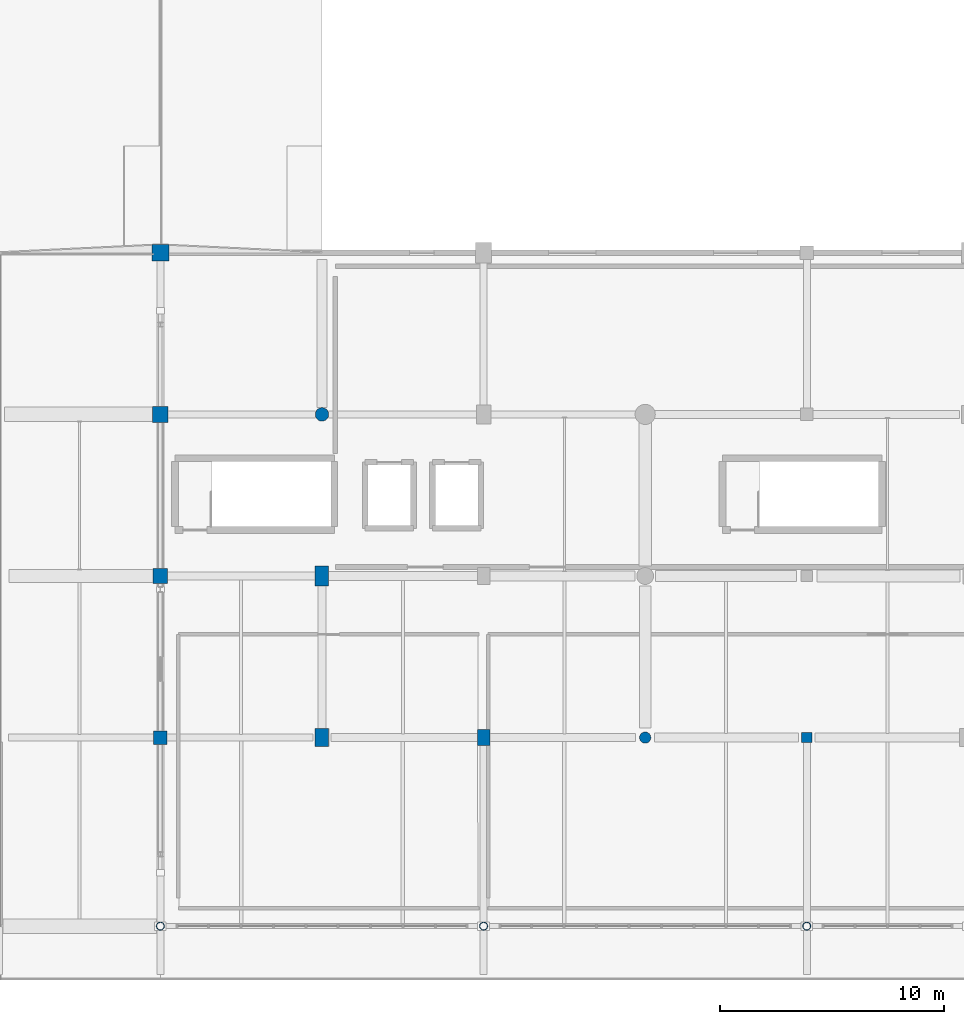
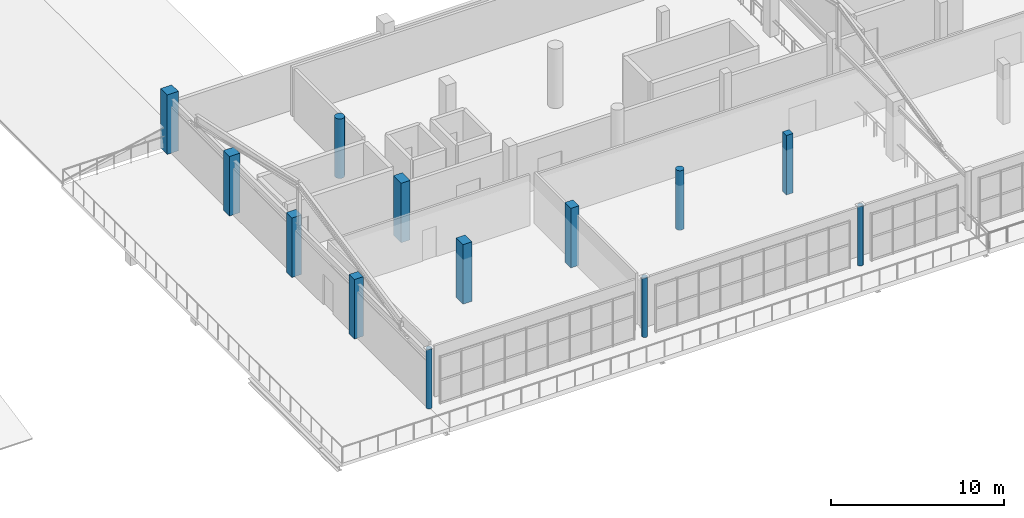
# One storey, part 1 of 41: 13 columns.
"""IFC4 building model written with IfcOpenShell, lengths in metres."""

import ifcopenshell
import ifcopenshell.guid

model = None  # the IFC model being written
_history = None  # IfcOwnerHistory: only IFC2X3 demands one
_inside = {}  # id of a spatial element -> (the spatial element, [elements in it])
_under = {}  # id of a project, library or spatial element -> (it, [spatial elements below it])
_declared = {}  # id of a project -> (the project, [libraries it declares])
_typed = {}  # id of a type object -> (the type object, [elements of that type])
_made_of = {}  # id of a material, layer set ... -> (it, [elements and type objects made of it])


def new_model(schema):
    """Start an empty IFC model of exactly this schema.

    Asked for "IFC4X3", IfcOpenShell would pick the latest addendum, in which some entities
    have other attributes; the version numbers below select the first issue.
    IFC2X3 requires an IfcOwnerHistory on every rooted entity: one is made here for all.
    """
    global model, _history
    if schema == "IFC4X3":
        model = ifcopenshell.file(schema_version=(4, 3, 0, 0))
    else:
        model = ifcopenshell.file(schema=schema)
    _inside.clear()
    _under.clear()
    _declared.clear()
    _typed.clear()
    _made_of.clear()
    _history = None
    if model.schema == "IFC2X3":
        org = make("IfcOrganization", Name="unknown")
        user = make(
            "IfcPersonAndOrganization",
            ThePerson=make("IfcPerson", FamilyName="unknown"),
            TheOrganization=org,
        )
        app = make(
            "IfcApplication",
            ApplicationDeveloper=org,
            Version="unknown",
            ApplicationFullName="unknown",
            ApplicationIdentifier="unknown",
        )
        _history = make(
            "IfcOwnerHistory",
            OwningUser=user,
            OwningApplication=app,
            ChangeAction="ADDED",
            CreationDate=0,
        )
    return model


def make(cls, **values):
    """One entity of the class cls with the attributes given. An attribute that is None is left unset."""
    return model.create_entity(
        cls, **{name: value for name, value in values.items() if value is not None}
    )


def rooted(cls, **values):
    """An entity with a GlobalId (a new one), such as an element, a storey or a relation."""
    return make(cls, GlobalId=ifcopenshell.guid.new(), OwnerHistory=_history, **values)


def si_unit(unit_type, name, prefix=None):
    """IfcSIUnit, for example si_unit("LENGTHUNIT", "METRE", prefix="MILLI")."""
    return make("IfcSIUnit", UnitType=unit_type, Prefix=prefix, Name=name)


def assignment(units):
    """IfcUnitAssignment: the units of a project."""
    return None if units is None else make("IfcUnitAssignment", Units=units)


def point(xyz):
    """IfcCartesianPoint."""
    return None if xyz is None else make("IfcCartesianPoint", Coordinates=xyz)


def direction(xyz):
    """IfcDirection."""
    return None if xyz is None else make("IfcDirection", DirectionRatios=xyz)


def frame(location, z_axis=None, x_axis=None):
    """IfcAxis2Placement3D, a coordinate frame: its origin and axes. An axis left out is left unset."""
    return make(
        "IfcAxis2Placement3D",
        Location=point(location),
        Axis=direction(z_axis),
        RefDirection=direction(x_axis),
    )


def frame_2d(location, x_axis=None):
    """IfcAxis2Placement2D, a coordinate frame in the plane: its origin and x axis."""
    return make(
        "IfcAxis2Placement2D", Location=point(location), RefDirection=direction(x_axis)
    )


def origin():
    """The frame at (0, 0, 0) with its axes left unset."""
    return frame((0.0, 0.0, 0.0))


def origin_2d():
    """The frame at (0, 0) in the plane with its x axis left unset."""
    return frame_2d((0.0, 0.0))


def place(relative_to, where):
    """IfcLocalPlacement: puts the frame where relative to a parent placement (None: the world)."""
    return make(
        "IfcLocalPlacement", PlacementRelTo=relative_to, RelativePlacement=where
    )


def context(
    kind, dimensions, precision=None, world=None, true_north=None, identifier=None
):
    """IfcGeometricRepresentationContext, for example the 3D "Model" context."""
    return make(
        "IfcGeometricRepresentationContext",
        ContextIdentifier=identifier,
        ContextType=kind,
        CoordinateSpaceDimension=dimensions,
        Precision=precision,
        WorldCoordinateSystem=world,
        TrueNorth=true_north,
    )


def subcontext(parent, identifier, kind, view, scale=None):
    """IfcGeometricRepresentationSubContext, for example "Body" below "Model"."""
    return make(
        "IfcGeometricRepresentationSubContext",
        ContextIdentifier=identifier,
        ContextType=kind,
        ParentContext=parent,
        TargetScale=scale,
        TargetView=view,
    )


def project(units=None, contexts=None):
    """IfcProject with its units and contexts."""
    return rooted(
        "IfcProject",
        Name="project",
        RepresentationContexts=contexts,
        UnitsInContext=assignment(units),
    )


def spatial(cls, under=None, at=None, **own):
    """A site, building, storey or space (cls), placed at a placement, below another one or the project."""
    s = rooted(cls, ObjectPlacement=at, **own)
    if under is not None:
        _under.setdefault(under.id(), (under, []))[1].append(s)
    return s


def profile(cls, at=None, kind="AREA", **sizes):
    """A parametric profile (cls). Its sizes go by their IFC names, for example OverallWidth=200.0."""
    return make(cls, ProfileType=kind, Position=at, **sizes)


def rectangle(**sizes):
    """IfcRectangleProfileDef."""
    return profile("IfcRectangleProfileDef", **sizes)


def circle(**sizes):
    """IfcCircleProfileDef."""
    return profile("IfcCircleProfileDef", **sizes)


def hollow_circle(**sizes):
    """IfcCircleHollowProfileDef."""
    return profile("IfcCircleHollowProfileDef", **sizes)


def extrude(swept, where, along, depth):
    """IfcExtrudedAreaSolid: the profile swept, set in the frame where, extruded along a direction by depth."""
    return make(
        "IfcExtrudedAreaSolid",
        SweptArea=swept,
        Position=where,
        ExtrudedDirection=direction(along),
        Depth=depth,
    )


def shape(context_of_items, identifier, shape_type, items):
    """IfcShapeRepresentation: the items that make up one representation, for example the "Body"."""
    return make(
        "IfcShapeRepresentation",
        ContextOfItems=context_of_items,
        RepresentationIdentifier=identifier,
        RepresentationType=shape_type,
        Items=items,
    )


def material(Name=None, Category=None):
    """IfcMaterial."""
    return make("IfcMaterial", Name=Name, Category=Category)


def material_profile(
    of_material, cross_section, Name=None, Category=None, Priority=None
):
    """IfcMaterialProfile: a cross section and its material."""
    return make(
        "IfcMaterialProfile",
        Name=Name,
        Material=of_material,
        Profile=cross_section,
        Priority=Priority,
        Category=Category,
    )


def profile_set(profiles, Name=None, composite=None):
    """IfcMaterialProfileSet."""
    return make(
        "IfcMaterialProfileSet",
        Name=Name,
        MaterialProfiles=profiles,
        CompositeProfile=composite,
    )


def made_of(thing, what):
    """Note that an element or type object is made of a material, layer set ...; save() writes the relation."""
    if what is not None:
        _made_of.setdefault(what.id(), (what, []))[1].append(thing)
    return thing


def type_object(cls, material=None, **own):
    """A type object (cls), such as IfcWallType, which elements share."""
    return made_of(rooted(cls, **own), material)


def element(
    cls,
    number,
    at=None,
    inside=None,
    cuts=None,
    type_object=None,
    material=None,
    context=None,
    identifier="Body",
    shape_type=None,
    held_by="IfcProductDefinitionShape",
    body=None,
    shapes=None,
    **own,
):
    """One element of the class cls, such as IfcWall. Its Tag is "e" and its number.

    at: its placement. inside: the storey or other place that contains it. cuts: it is an
    opening in that element (IfcRelVoidsElement). A single representation is given by context,
    identifier, shape_type and body (its items); several are given by shapes. held_by: the class
    of the entity that holds the representations. save() writes the other relations.
    """
    e = rooted(cls, Tag="e%d" % number, ObjectPlacement=at, **own)
    if body is not None:
        shapes = [shape(context, identifier, shape_type, body)]
    if shapes is not None:
        e.Representation = make(held_by, Representations=shapes)
    if inside is not None:
        _inside.setdefault(inside.id(), (inside, []))[1].append(e)
    if cuts is not None:
        rooted(
            "IfcRelVoidsElement", RelatingBuildingElement=cuts, RelatedOpeningElement=e
        )
    if type_object is not None:
        _typed.setdefault(type_object.id(), (type_object, []))[1].append(e)
    return made_of(e, material)


def aggregate(whole, parts):
    """IfcRelAggregates: a whole, such as a stair, and the parts it consists of."""
    return rooted("IfcRelAggregates", RelatingObject=whole, RelatedObjects=parts)


def save(model, path):
    """Write the relations noted so far, then the file.

    IfcRelAggregates (storeys below a building ...), IfcRelContainedInSpatialStructure (elements
    in a storey), IfcRelDefinesByType, IfcRelAssociatesMaterial and IfcRelDeclares: one each for
    every whole, place, type object, material and project.
    """
    for whole, parts in _under.values():
        aggregate(whole, parts)
    for where, things in _inside.values():
        rooted(
            "IfcRelContainedInSpatialStructure",
            RelatedElements=things,
            RelatingStructure=where,
        )
    for kind, things in _typed.values():
        rooted("IfcRelDefinesByType", RelatedObjects=things, RelatingType=kind)
    for what, things in _made_of.values():
        rooted("IfcRelAssociatesMaterial", RelatedObjects=things, RelatingMaterial=what)
    for by, libraries in _declared.values():
        rooted("IfcRelDeclares", RelatingContext=by, RelatedDefinitions=libraries)
    model.write(path)


model = new_model("IFC4")

# Units and contexts
model_context = context("Model", 3, precision=1e-05, world=origin(), true_north=direction((0.0, 1.0)))
body_context = subcontext(model_context, "Body", "Model", "MODEL_VIEW")
ifc_project = project(units=[si_unit("LENGTHUNIT", "METRE"), si_unit("AREAUNIT", "SQUARE_METRE"), si_unit("VOLUMEUNIT", "CUBIC_METRE"), si_unit("PLANEANGLEUNIT", "RADIAN"), si_unit("MASSUNIT", "GRAM", prefix="KILO")], contexts=[model_context])

# Site, building, storey
site_placement = place(None, origin())
site = spatial("IfcSite", under=ifc_project, at=site_placement, CompositionType="ELEMENT")
building_placement = place(site_placement, origin())
building = spatial("IfcBuilding", under=site, at=building_placement, Name="Solanera Park Tramway Depot", CompositionType="ELEMENT")
storey_placement = place(building_placement, frame((0.0, 0.0, 13.199951171875)))
storey = spatial("IfcBuildingStorey", under=building, at=storey_placement, Name="L03", CompositionType="ELEMENT", Elevation=13.199951171875)

# Columns
ifc_material_1 = material(Name="Concrete N40 (C40/50)", Category="concrete")
ifc_material_profile_1 = material_profile(ifc_material_1, rectangle(XDim=0.449951171875, YDim=0.449951171875, at=origin_2d()), Name="RC 450x450")
ifc_profile_set_1 = profile_set([ifc_material_profile_1], Name="Concrete N40 (C40/50)")
column_type_1 = type_object("IfcColumnType", Name="RC Column Ext RC 450x450", PredefinedType="COLUMN", material=ifc_profile_set_1)
column_1_placement = place(storey_placement, frame((144.0, 10.800048828125, 0.0), z_axis=(0.0, 0.0, 1.0), x_axis=(1.0, 0.0, 0.0)))
element("IfcColumn", 1, at=column_1_placement, inside=storey, type_object=column_type_1, Name="L03 Column V4-X1440-Y108", PredefinedType="COLUMN", context=body_context, shape_type="SweptSolid", body=[
    extrude(rectangle(XDim=0.449951171875, YDim=0.449951171875, at=origin_2d()), origin(), (0.0, 0.0, 1.0), 4.199951171875),
])
ifc_material_2 = material(Name="Concrete N40 (C40/50)", Category="concrete")
ifc_material_profile_2 = material_profile(ifc_material_2, rectangle(XDim=0.550048828125, YDim=0.699951171875, at=origin_2d()), Name="RC 550x700")
ifc_profile_set_2 = profile_set([ifc_material_profile_2], Name="Concrete N40 (C40/50)")
column_type_2 = type_object("IfcColumnType", Name="RC Column Ext RC 550x700", PredefinedType="COLUMN", material=ifc_profile_set_2)
column_2_placement = place(storey_placement, frame((129.60009765625, 10.800048828125, 0.0), z_axis=(0.0, 0.0, 1.0), x_axis=(1.0, 0.0, 0.0)))
element("IfcColumn", 2, at=column_2_placement, inside=storey, type_object=column_type_2, Name="L03 Column V4-X1296-Y108", PredefinedType="COLUMN", context=body_context, shape_type="SweptSolid", body=[
    extrude(rectangle(XDim=0.550048828125, YDim=0.699951171875, at=origin_2d()), origin(), (0.0, 0.0, 1.0), 4.199951171875),
])
ifc_material_3 = material(Name="Concrete N40 (C40/50)", Category="concrete")
ifc_material_profile_3 = material_profile(ifc_material_3, rectangle(XDim=0.60009765625, YDim=0.60009765625, at=origin_2d()), Name="RC 600x600")
ifc_profile_set_3 = profile_set([ifc_material_profile_3], Name="Concrete N40 (C40/50)")
column_type_3 = type_object("IfcColumnType", Name="RC Column Ext RC 600x600", PredefinedType="COLUMN", material=ifc_profile_set_3)
column_3_placement = place(storey_placement, frame((115.199951171875, 10.800048828125, 0.0), z_axis=(0.0, 0.0, 1.0), x_axis=(1.0, 0.0, 0.0)))
element("IfcColumn", 3, at=column_3_placement, inside=storey, type_object=column_type_3, Name="L03 Column V4-X1152-Y108", PredefinedType="COLUMN", context=body_context, shape_type="SweptSolid", body=[
    extrude(rectangle(XDim=0.60009765625, YDim=0.60009765625, at=origin_2d()), origin(), (0.0, 0.0, 1.0), 4.199951171875),
])
ifc_material_4 = material(Name="Concrete N40 (C40/50)", Category="concrete")
ifc_material_profile_4 = material_profile(ifc_material_4, rectangle(XDim=0.60009765625, YDim=0.800048828125, at=origin_2d()), Name="RC 600x800")
ifc_profile_set_4 = profile_set([ifc_material_profile_4], Name="Concrete N40 (C40/50)")
column_type_4 = type_object("IfcColumnType", Name="RC Column Ext RC 600x800", PredefinedType="COLUMN", material=ifc_profile_set_4)
column_4_placement = place(storey_placement, frame((122.39990234375, 10.800048828125, 0.0), z_axis=(0.0, 0.0, 1.0), x_axis=(1.0, 0.0, 0.0)))
element("IfcColumn", 4, at=column_4_placement, inside=storey, type_object=column_type_4, Name="L03 Column V4-X1224-Y108", PredefinedType="COLUMN", context=body_context, shape_type="SweptSolid", body=[
    extrude(rectangle(XDim=0.60009765625, YDim=0.800048828125, at=origin_2d()), origin(), (0.0, 0.0, 1.0), 4.199951171875),
])
ifc_material_5 = material(Name="Concrete N40 (C40/50)", Category="concrete")
ifc_material_profile_5 = material_profile(ifc_material_5, circle(Radius=0.25, at=origin_2d()), Name="RC D500")
ifc_profile_set_5 = profile_set([ifc_material_profile_5], Name="Concrete N40 (C40/50)")
column_type_5 = type_object("IfcColumnType", Name="RC Column Ext RC D500", PredefinedType="COLUMN", material=ifc_profile_set_5)
column_5_placement = place(storey_placement, frame((136.800048828125, 10.800048828125, 0.0), z_axis=(0.0, 0.0, 1.0), x_axis=(1.0, 0.0, 0.0)))
element("IfcColumn", 5, at=column_5_placement, inside=storey, type_object=column_type_5, Name="L03 Column V4-X1368-Y108", PredefinedType="COLUMN", context=body_context, shape_type="SweptSolid", body=[
    extrude(circle(Radius=0.25, at=origin_2d()), origin(), (0.0, 0.0, 1.0), 4.199951171875),
])
ifc_material_6 = material(Name="Concrete N40 (C40/50)", Category="concrete")
ifc_material_profile_6 = material_profile(ifc_material_6, rectangle(XDim=0.60009765625, YDim=0.89990234375, at=origin_2d()), Name="RC 600x900")
ifc_profile_set_6 = profile_set([ifc_material_profile_6], Name="Concrete N40 (C40/50)")
column_type_6 = type_object("IfcColumnType", Name="RC Column Int RC 600x900", PredefinedType="COLUMN", material=ifc_profile_set_6)
column_6_placement = place(storey_placement, frame((122.39990234375, 18.0, 0.0), z_axis=(0.0, 0.0, 1.0), x_axis=(1.0, 0.0, 0.0)))
element("IfcColumn", 6, at=column_6_placement, inside=storey, type_object=column_type_6, Name="L03 Column V4-X1224-Y180", PredefinedType="COLUMN", context=body_context, shape_type="SweptSolid", body=[
    extrude(rectangle(XDim=0.60009765625, YDim=0.89990234375, at=origin_2d()), origin(), (0.0, 0.0, 1.0), 4.199951171875),
])
ifc_material_7 = material(Name="Concrete N40 (C40/50)", Category="concrete")
ifc_material_profile_7 = material_profile(ifc_material_7, rectangle(XDim=0.64990234375, YDim=0.64990234375, at=origin_2d()), Name="RC 650x650")
ifc_profile_set_7 = profile_set([ifc_material_profile_7], Name="Concrete N40 (C40/50)")
column_type_7 = type_object("IfcColumnType", Name="RC Column Int RC 650x650", PredefinedType="COLUMN", material=ifc_profile_set_7)
column_7_placement = place(storey_placement, frame((115.199951171875, 18.0, 0.0), z_axis=(0.0, 0.0, 1.0), x_axis=(1.0, 0.0, 0.0)))
element("IfcColumn", 7, at=column_7_placement, inside=storey, type_object=column_type_7, Name="L03 Column V4-X1152-Y180", PredefinedType="COLUMN", context=body_context, shape_type="SweptSolid", body=[
    extrude(rectangle(XDim=0.64990234375, YDim=0.64990234375, at=origin_2d()), origin(), (0.0, 0.0, 1.0), 4.199951171875),
])
ifc_material_8 = material(Name="Concrete N40 (C40/50)", Category="concrete")
ifc_material_profile_8 = material_profile(ifc_material_8, rectangle(XDim=0.699951171875, YDim=0.699951171875, at=origin_2d()), Name="RC 700x700")
ifc_profile_set_8 = profile_set([ifc_material_profile_8], Name="Concrete N40 (C40/50)")
column_type_8 = type_object("IfcColumnType", Name="RC Column Int RC 700x700", PredefinedType="COLUMN", material=ifc_profile_set_8)
column_8_placement = place(storey_placement, frame((115.199951171875, 25.199951171875, 0.0), z_axis=(0.0, 0.0, 1.0), x_axis=(1.0, 0.0, 0.0)))
element("IfcColumn", 8, at=column_8_placement, inside=storey, type_object=column_type_8, Name="L03 Column V4-X1152-Y252", PredefinedType="COLUMN", context=body_context, shape_type="SweptSolid", body=[
    extrude(rectangle(XDim=0.699951171875, YDim=0.699951171875, at=origin_2d()), origin(), (0.0, 0.0, 1.0), 4.199951171875),
])
ifc_material_9 = material(Name="Concrete N40 (C40/50)", Category="concrete")
ifc_material_profile_9 = material_profile(ifc_material_9, rectangle(XDim=0.75, YDim=0.75, at=origin_2d()), Name="RC 750x750")
ifc_profile_set_9 = profile_set([ifc_material_profile_9], Name="Concrete N40 (C40/50)")
column_type_9 = type_object("IfcColumnType", Name="RC Column Int RC 750x750", PredefinedType="COLUMN", material=ifc_profile_set_9)
column_9_placement = place(storey_placement, frame((115.199951171875, 32.39990234375, 0.0), z_axis=(0.0, 0.0, 1.0), x_axis=(1.0, 0.0, 0.0)))
element("IfcColumn", 9, at=column_9_placement, inside=storey, type_object=column_type_9, Name="L03 Column V4-X1152-Y324", PredefinedType="COLUMN", context=body_context, shape_type="SweptSolid", body=[
    extrude(rectangle(XDim=0.75, YDim=0.75, at=origin_2d()), origin(), (0.0, 0.0, 1.0), 4.199951171875),
])
ifc_material_10 = material(Name="Concrete N40 (C40/50)", Category="concrete")
ifc_material_profile_10 = material_profile(ifc_material_10, circle(Radius=0.300048828125, at=origin_2d()), Name="RC D600")
ifc_profile_set_10 = profile_set([ifc_material_profile_10], Name="Concrete N40 (C40/50)")
column_type_10 = type_object("IfcColumnType", Name="RC Column Int RC D600", PredefinedType="COLUMN", material=ifc_profile_set_10)
column_10_placement = place(storey_placement, frame((122.39990234375, 25.199951171875, 0.0), z_axis=(0.0, 0.0, 1.0), x_axis=(1.0, 0.0, 0.0)))
element("IfcColumn", 10, at=column_10_placement, inside=storey, type_object=column_type_10, Name="L03 Column V4-X1224-Y252", PredefinedType="COLUMN", context=body_context, shape_type="SweptSolid", body=[
    extrude(circle(Radius=0.300048828125, at=origin_2d()), origin(), (0.0, 0.0, 1.0), 4.199951171875),
])
ifc_material_11 = material(Name="Steel AS/NZS 1163 Grade C350L0", Category="steel")
ifc_material_profile_11 = material_profile(ifc_material_11, hollow_circle(Radius=0.177734375, WallThickness=0.0126953125, at=origin_2d()), Name="355.6x12.7 CHS")
ifc_profile_set_11 = profile_set([ifc_material_profile_11], Name="Steel AS/NZS 1163 Grade C350L0")
column_type_11 = type_object("IfcColumnType", Name="Steel Column Int 355.6x12.7 CHS", PredefinedType="COLUMN", material=ifc_profile_set_11)
for number, where, z_axis, x_axis, name in (
    (11, (115.199951171875, 2.39990234375, 0.0), (0.0, 0.0, 1.0), (1.0, 0.0, 0.0), "L03 Overhang Transfer Column 01"),
    (12, (129.60009765625, 2.39990234375, 0.0), (0.0, 0.0, 1.0), (1.0, 0.0, 0.0), "L03 Overhang Transfer Column 02"),
    (13, (144.0, 2.39990234375, 0.0), (0.0, 0.0, 1.0), (1.0, 0.0, 0.0), "L03 Overhang Transfer Column 03"),
):
    element("IfcColumn", number, at=place(storey_placement, frame(where, z_axis=z_axis, x_axis=x_axis)), inside=storey, type_object=column_type_11, Name=name, PredefinedType="COLUMN", context=body_context, shape_type="SweptSolid", body=[
        extrude(hollow_circle(Radius=0.177734375, WallThickness=0.0126953125, at=origin_2d()), origin(), (0.0, 0.0, 1.0), 4.199951171875),
    ])

save(model, "model.ifc")
